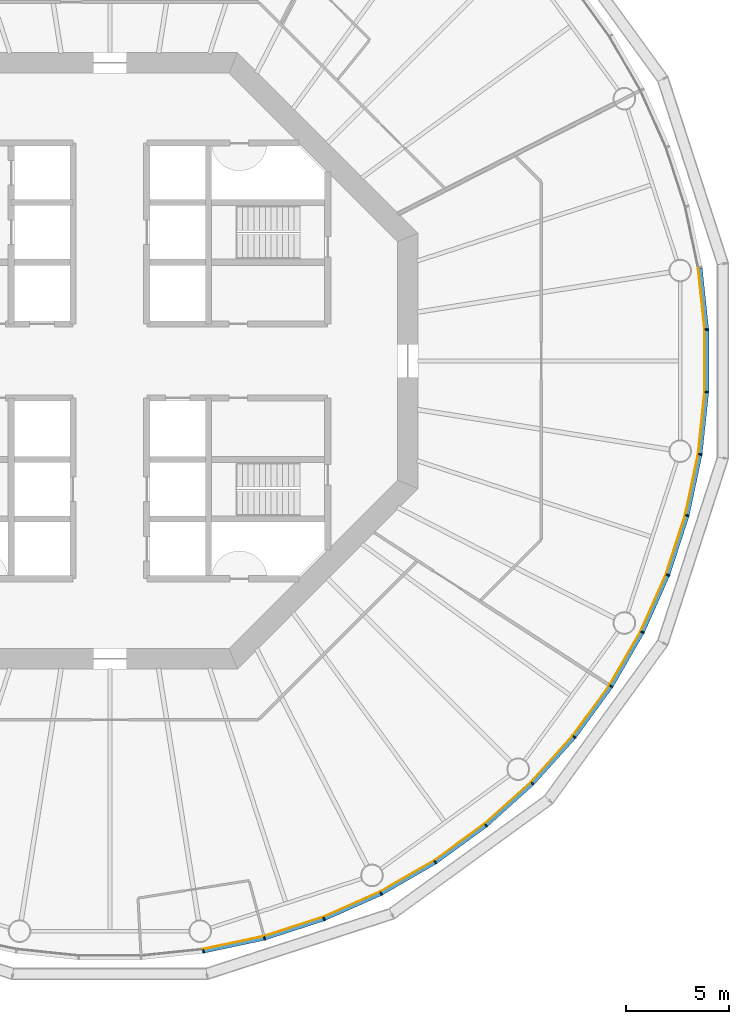
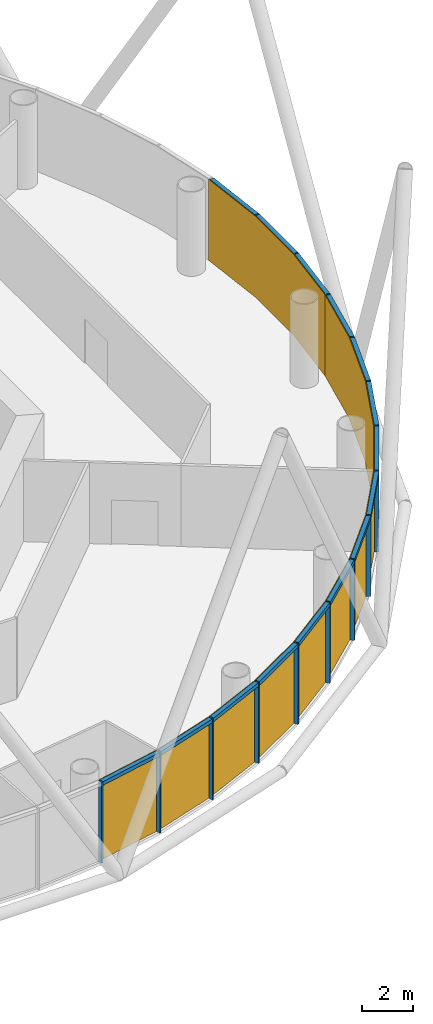
# One storey, part 9 of 13: 30 members, 5 curtain walls.
"""IFC4 building model written with IfcOpenShell, lengths in metres."""

from ifc_helpers import new_model, si_unit, direction, frame, origin, origin_2d, place, context, subcontext, project, spatial, polyline, rectangle, outline, extrude, material, layer, layer_set, material_profile, profile_set, type_object, element, aggregate, save


model = new_model("IFC4")

# Units and contexts
model_context = context("Model", 3, precision=1e-05, world=origin(), true_north=direction((0.0, 1.0)))
body_context = subcontext(model_context, "Body", "Model", "MODEL_VIEW")
ifc_project = project(units=[si_unit("LENGTHUNIT", "METRE"), si_unit("AREAUNIT", "SQUARE_METRE"), si_unit("VOLUMEUNIT", "CUBIC_METRE"), si_unit("PLANEANGLEUNIT", "RADIAN"), si_unit("MASSUNIT", "GRAM", prefix="KILO")], contexts=[model_context])

# Member
ifc_material_1 = material(Name="Anodised aluminium", Category="aluminium")
ifc_material_profile_1 = material_profile(ifc_material_1, rectangle(XDim=0.06494140625, YDim=0.18505859375, at=origin_2d()), Name="Mullion 65 x 185 mm anodised aluminium")
ifc_profile_set_1 = profile_set([ifc_material_profile_1], Name="Anodised aluminium")
member_type_1 = type_object("IfcMemberType", Name="Mullion 65 x 185 mm anodised aluminium", PredefinedType="MULLION", material=ifc_profile_set_1)
site_placement = place(None, origin())
building_placement = place(site_placement, origin())
storey_placement = place(building_placement, frame((0.0, 0.0, 164.0)))
member_1_placement = place(storey_placement, frame((94.551025390625, 51.265625, 0.0), z_axis=(0.0, 0.0, 1.0), x_axis=(0.987688340595, 0.15643446504, 0.0)))
member_1 = element("IfcMember", 1, at=member_1_placement, type_object=member_type_1, Name="MULLION L37-45", PredefinedType="MULLION", context=body_context, shape_type="SweptSolid", body=[
    extrude(rectangle(XDim=0.06494140625, YDim=0.18505859375, at=origin_2d()), origin(), (0.0, 0.0, 1.0), 3.85009765625),
])

member_2_placement = place(storey_placement, frame((97.52978515625, 51.898681640625, 0.0), z_axis=(0.0, 0.0, 1.0), x_axis=(0.965925826289, 0.258819045103, 0.0)))
member_2 = element("IfcMember", 2, at=member_2_placement, type_object=member_type_1, Name="MULLION L37-46", PredefinedType="MULLION", context=body_context, shape_type="SweptSolid", body=[
    extrude(rectangle(XDim=0.06494140625, YDim=0.18505859375, at=origin_2d()), origin(), (0.0, 0.0, 1.0), 3.85009765625),
])

member_3_placement = place(storey_placement, frame((100.42578125, 52.83984375, 0.0), z_axis=(0.0, 0.0, 1.0), x_axis=(0.933580426497, 0.358367949545, 0.0)))
member_3 = element("IfcMember", 3, at=member_3_placement, type_object=member_type_1, Name="MULLION L37-47", PredefinedType="MULLION", context=body_context, shape_type="SweptSolid", body=[
    extrude(rectangle(XDim=0.06494140625, YDim=0.18505859375, at=origin_2d()), origin(), (0.0, 0.0, 1.0), 3.85009765625),
])

member_4_placement = place(storey_placement, frame((103.207763671875, 54.078369140625, 0.0), z_axis=(0.0, 0.0, 1.0), x_axis=(0.891006524188, 0.45399049974, 0.0)))
member_4 = element("IfcMember", 4, at=member_4_placement, type_object=member_type_1, Name="MULLION L37-48", PredefinedType="MULLION", context=body_context, shape_type="SweptSolid", body=[
    extrude(rectangle(XDim=0.06494140625, YDim=0.18505859375, at=origin_2d()), origin(), (0.0, 0.0, 1.0), 3.85009765625),
])

member_5_placement = place(storey_placement, frame((105.844970703125, 55.60107421875, 0.0), z_axis=(0.0, 0.0, 1.0), x_axis=(0.838670567945, 0.544639035015, 0.0)))
member_5 = element("IfcMember", 5, at=member_5_placement, type_object=member_type_1, Name="MULLION L37-49", PredefinedType="MULLION", context=body_context, shape_type="SweptSolid", body=[
    extrude(rectangle(XDim=0.06494140625, YDim=0.18505859375, at=origin_2d()), origin(), (0.0, 0.0, 1.0), 3.85009765625),
])

member_6_placement = place(storey_placement, frame((108.30859375, 57.390869140625, 0.0), z_axis=(0.0, 0.0, 1.0), x_axis=(0.777145961457, 0.62932039105, 0.0)))
member_6 = element("IfcMember", 6, at=member_6_placement, type_object=member_type_1, Name="MULLION L37-50", PredefinedType="MULLION", context=body_context, shape_type="SweptSolid", body=[
    extrude(rectangle(XDim=0.06494140625, YDim=0.18505859375, at=origin_2d()), origin(), (0.0, 0.0, 1.0), 3.85009765625),
])

member_7_placement = place(storey_placement, frame((110.571533203125, 59.428466796875, 0.0), z_axis=(0.0, 0.0, 1.0), x_axis=(0.707106781187, 0.707106781187, 0.0)))
member_7 = element("IfcMember", 7, at=member_7_placement, type_object=member_type_1, Name="MULLION L37-51", PredefinedType="MULLION", context=body_context, shape_type="SweptSolid", body=[
    extrude(rectangle(XDim=0.06494140625, YDim=0.18505859375, at=origin_2d()), origin(), (0.0, 0.0, 1.0), 3.85009765625),
])

member_8_placement = place(storey_placement, frame((112.609130859375, 61.69140625, 0.0), z_axis=(0.0, 0.0, 1.0), x_axis=(0.62932039105, 0.777145961457, 0.0)))
member_8 = element("IfcMember", 8, at=member_8_placement, type_object=member_type_1, Name="MULLION L37-52", PredefinedType="MULLION", context=body_context, shape_type="SweptSolid", body=[
    extrude(rectangle(XDim=0.06494140625, YDim=0.18505859375, at=origin_2d()), origin(), (0.0, 0.0, 1.0), 3.85009765625),
])

member_9_placement = place(storey_placement, frame((114.39892578125, 64.155029296875, 0.0), z_axis=(0.0, 0.0, 1.0), x_axis=(0.544639035015, 0.838670567945, 0.0)))
member_9 = element("IfcMember", 9, at=member_9_placement, type_object=member_type_1, Name="MULLION L37-53", PredefinedType="MULLION", context=body_context, shape_type="SweptSolid", body=[
    extrude(rectangle(XDim=0.06494140625, YDim=0.18505859375, at=origin_2d()), origin(), (0.0, 0.0, 1.0), 3.85009765625),
])

member_10_placement = place(storey_placement, frame((115.921630859375, 66.792236328125, 0.0), z_axis=(0.0, 0.0, 1.0), x_axis=(0.45399049974, 0.891006524188, 0.0)))
member_10 = element("IfcMember", 10, at=member_10_placement, type_object=member_type_1, Name="MULLION L37-54", PredefinedType="MULLION", context=body_context, shape_type="SweptSolid", body=[
    extrude(rectangle(XDim=0.06494140625, YDim=0.18505859375, at=origin_2d()), origin(), (0.0, 0.0, 1.0), 3.85009765625),
])

member_11_placement = place(storey_placement, frame((117.16015625, 69.57421875, 0.0), z_axis=(0.0, 0.0, 1.0), x_axis=(0.358367949545, 0.933580426497, 0.0)))
member_11 = element("IfcMember", 11, at=member_11_placement, type_object=member_type_1, Name="MULLION L37-55", PredefinedType="MULLION", context=body_context, shape_type="SweptSolid", body=[
    extrude(rectangle(XDim=0.06494140625, YDim=0.18505859375, at=origin_2d()), origin(), (0.0, 0.0, 1.0), 3.85009765625),
])

member_12_placement = place(storey_placement, frame((118.101318359375, 72.47021484375, 0.0), z_axis=(0.0, 0.0, 1.0), x_axis=(0.258819045103, 0.965925826289, 0.0)))
member_12 = element("IfcMember", 12, at=member_12_placement, type_object=member_type_1, Name="MULLION L37-56", PredefinedType="MULLION", context=body_context, shape_type="SweptSolid", body=[
    extrude(rectangle(XDim=0.06494140625, YDim=0.18505859375, at=origin_2d()), origin(), (0.0, 0.0, 1.0), 3.85009765625),
])

member_13_placement = place(storey_placement, frame((118.734375, 75.448974609375, 0.0), z_axis=(0.0, 0.0, 1.0), x_axis=(0.15643446504, 0.987688340595, 0.0)))
member_13 = element("IfcMember", 13, at=member_13_placement, type_object=member_type_1, Name="MULLION L37-57", PredefinedType="MULLION", context=body_context, shape_type="SweptSolid", body=[
    extrude(rectangle(XDim=0.06494140625, YDim=0.18505859375, at=origin_2d()), origin(), (0.0, 0.0, 1.0), 3.85009765625),
])

member_14_placement = place(storey_placement, frame((119.052734375, 78.477294921875, 0.0), z_axis=(0.0, 0.0, 1.0), x_axis=(0.052335956243, 0.998629534755, 0.0)))
member_14 = element("IfcMember", 14, at=member_14_placement, type_object=member_type_1, Name="MULLION L37-58", PredefinedType="MULLION", context=body_context, shape_type="SweptSolid", body=[
    extrude(rectangle(XDim=0.06494140625, YDim=0.18505859375, at=origin_2d()), origin(), (0.0, 0.0, 1.0), 3.85009765625),
])

member_15_placement = place(storey_placement, frame((119.052734375, 81.522705078125, 0.0), z_axis=(0.0, 0.0, 1.0), x_axis=(-0.052335956243, 0.998629534755, 0.0)))
member_15 = element("IfcMember", 15, at=member_15_placement, type_object=member_type_1, Name="MULLION L37-59", PredefinedType="MULLION", context=body_context, shape_type="SweptSolid", body=[
    extrude(rectangle(XDim=0.06494140625, YDim=0.18505859375, at=origin_2d()), origin(), (0.0, 0.0, 1.0), 3.85009765625),
])

ifc_material_2 = material(Name="Anodised aluminium", Category="aluminium")
ifc_material_profile_2 = material_profile(ifc_material_2, rectangle(XDim=0.18505859375, YDim=0.175048828125, at=origin_2d()), Name="Transom 175 x 185 mm anodised aluminium")
ifc_profile_set_2 = profile_set([ifc_material_profile_2], Name="Anodised aluminium")
member_type_2 = type_object("IfcMemberType", Name="Transom 175 x 185 mm anodised aluminium", PredefinedType="USERDEFINED", material=ifc_profile_set_2)
member_16_placement = place(storey_placement, frame((94.587646484375, 51.2734375, 3.762451171875), z_axis=(0.97815822425, 0.207861704825, 0.0), x_axis=(-0.207861704825, 0.97815822425, 0.0)))
member_16 = element("IfcMember", 16, at=member_16_placement, type_object=member_type_2, Name="TRANSOM L37-45", ObjectType="TRANSOM", PredefinedType="USERDEFINED", context=body_context, shape_type="SweptSolid", body=[
    extrude(rectangle(XDim=0.18505859375, YDim=0.175048828125, at=origin_2d()), origin(), (0.0, 0.0, 1.0), 2.970458984375),
])

member_17_placement = place(storey_placement, frame((97.565185546875, 51.91015625, 3.762451171875), z_axis=(0.951055809184, 0.30901917063, 0.0), x_axis=(-0.30901917063, 0.951055809184, 0.0)))
member_17 = element("IfcMember", 17, at=member_17_placement, type_object=member_type_2, Name="TRANSOM L37-46", ObjectType="TRANSOM", PredefinedType="USERDEFINED", context=body_context, shape_type="SweptSolid", body=[
    extrude(rectangle(XDim=0.18505859375, YDim=0.175048828125, at=origin_2d()), origin(), (0.0, 0.0, 1.0), 2.970703125),
])

member_18_placement = place(storey_placement, frame((100.4599609375, 52.85498046875, 3.762451171875), z_axis=(0.913567348806, 0.406687471156, 0.0), x_axis=(-0.406687471156, 0.913567348806, 0.0)))
member_18 = element("IfcMember", 18, at=member_18_placement, type_object=member_type_2, Name="TRANSOM L37-47", ObjectType="TRANSOM", PredefinedType="USERDEFINED", context=body_context, shape_type="SweptSolid", body=[
    extrude(rectangle(XDim=0.18505859375, YDim=0.175048828125, at=origin_2d()), origin(), (0.0, 0.0, 1.0), 2.970458984375),
])

member_19_placement = place(storey_placement, frame((103.240234375, 54.096923828125, 3.762451171875), z_axis=(0.866009025146, 0.500028367561, 0.0), x_axis=(-0.500028367561, 0.866009025146, 0.0)))
member_19 = element("IfcMember", 19, at=member_19_placement, type_object=member_type_2, Name="TRANSOM L37-48", ObjectType="TRANSOM", PredefinedType="USERDEFINED", context=body_context, shape_type="SweptSolid", body=[
    extrude(rectangle(XDim=0.18505859375, YDim=0.175048828125, at=origin_2d()), origin(), (0.0, 0.0, 1.0), 2.970458984375),
])

member_20_placement = place(storey_placement, frame((105.875244140625, 55.622802734375, 3.762451171875), z_axis=(0.808991906087, 0.587819781808, 0.0), x_axis=(-0.587819781808, 0.808991906087, 0.0)))
member_20 = element("IfcMember", 20, at=member_20_placement, type_object=member_type_2, Name="TRANSOM L37-49", ObjectType="TRANSOM", PredefinedType="USERDEFINED", context=body_context, shape_type="SweptSolid", body=[
    extrude(rectangle(XDim=0.18505859375, YDim=0.175048828125, at=origin_2d()), origin(), (0.0, 0.0, 1.0), 2.970458984375),
])

member_21_placement = place(storey_placement, frame((108.33642578125, 57.415771484375, 3.762451171875), z_axis=(0.743163354343, 0.669110027395, 0.0), x_axis=(-0.669110027395, 0.743163354343, 0.0)))
member_21 = element("IfcMember", 21, at=member_21_placement, type_object=member_type_2, Name="TRANSOM L37-50", ObjectType="TRANSOM", PredefinedType="USERDEFINED", context=body_context, shape_type="SweptSolid", body=[
    extrude(rectangle(XDim=0.18505859375, YDim=0.175048828125, at=origin_2d()), origin(), (0.0, 0.0, 1.0), 2.970458984375),
])

member_22_placement = place(storey_placement, frame((110.5966796875, 59.4560546875, 3.762451171875), z_axis=(0.669110027395, 0.743163354343, 0.0), x_axis=(-0.743163354343, 0.669110027395, 0.0)))
member_22 = element("IfcMember", 22, at=member_22_placement, type_object=member_type_2, Name="TRANSOM L37-51", ObjectType="TRANSOM", PredefinedType="USERDEFINED", context=body_context, shape_type="SweptSolid", body=[
    extrude(rectangle(XDim=0.18505859375, YDim=0.175048828125, at=origin_2d()), origin(), (0.0, 0.0, 1.0), 2.970458984375),
])

member_23_placement = place(storey_placement, frame((112.631103515625, 61.7216796875, 3.762451171875), z_axis=(0.587819781808, 0.808991906087, 0.0), x_axis=(-0.808991906087, 0.587819781808, 0.0)))
member_23 = element("IfcMember", 23, at=member_23_placement, type_object=member_type_2, Name="TRANSOM L37-52", ObjectType="TRANSOM", PredefinedType="USERDEFINED", context=body_context, shape_type="SweptSolid", body=[
    extrude(rectangle(XDim=0.18505859375, YDim=0.175048828125, at=origin_2d()), origin(), (0.0, 0.0, 1.0), 2.970458984375),
])

member_24_placement = place(storey_placement, frame((114.417724609375, 64.187255859375, 3.762451171875), z_axis=(0.500028367561, 0.866009025146, 0.0), x_axis=(-0.866009025146, 0.500028367561, 0.0)))
member_24 = element("IfcMember", 24, at=member_24_placement, type_object=member_type_2, Name="TRANSOM L37-53", ObjectType="TRANSOM", PredefinedType="USERDEFINED", context=body_context, shape_type="SweptSolid", body=[
    extrude(rectangle(XDim=0.18505859375, YDim=0.175048828125, at=origin_2d()), origin(), (0.0, 0.0, 1.0), 2.970458984375),
])

member_25_placement = place(storey_placement, frame((115.93701171875, 66.826416015625, 3.762451171875), z_axis=(0.406687471156, 0.913567348806, 0.0), x_axis=(-0.913567348806, 0.406687471156, 0.0)))
member_25 = element("IfcMember", 25, at=member_25_placement, type_object=member_type_2, Name="TRANSOM L37-54", ObjectType="TRANSOM", PredefinedType="USERDEFINED", context=body_context, shape_type="SweptSolid", body=[
    extrude(rectangle(XDim=0.18505859375, YDim=0.175048828125, at=origin_2d()), origin(), (0.0, 0.0, 1.0), 2.970458984375),
])

member_26_placement = place(storey_placement, frame((117.171875, 69.609619140625, 3.762451171875), z_axis=(0.30901917063, 0.951055809184, 0.0), x_axis=(-0.951055809184, 0.30901917063, 0.0)))
member_26 = element("IfcMember", 26, at=member_26_placement, type_object=member_type_2, Name="TRANSOM L37-55", ObjectType="TRANSOM", PredefinedType="USERDEFINED", context=body_context, shape_type="SweptSolid", body=[
    extrude(rectangle(XDim=0.18505859375, YDim=0.175048828125, at=origin_2d()), origin(), (0.0, 0.0, 1.0), 2.970703125),
])

member_27_placement = place(storey_placement, frame((118.109130859375, 72.5068359375, 3.762451171875), z_axis=(0.207861704825, 0.97815822425, 0.0), x_axis=(-0.97815822425, 0.207861704825, 0.0)))
member_27 = element("IfcMember", 27, at=member_27_placement, type_object=member_type_2, Name="TRANSOM L37-56", ObjectType="TRANSOM", PredefinedType="USERDEFINED", context=body_context, shape_type="SweptSolid", body=[
    extrude(rectangle(XDim=0.18505859375, YDim=0.175048828125, at=origin_2d()), origin(), (0.0, 0.0, 1.0), 2.970458984375),
])

member_28_placement = place(storey_placement, frame((118.73828125, 75.486083984375, 3.762451171875), z_axis=(0.104547872381, 0.994519855197, 0.0), x_axis=(-0.994519855197, 0.104547872381, 0.0)))
member_28 = element("IfcMember", 28, at=member_28_placement, type_object=member_type_2, Name="TRANSOM L37-57", ObjectType="TRANSOM", PredefinedType="USERDEFINED", context=body_context, shape_type="SweptSolid", body=[
    extrude(rectangle(XDim=0.18505859375, YDim=0.175048828125, at=origin_2d()), origin(), (0.0, 0.0, 1.0), 2.970458984375),
])

member_29_placement = place(storey_placement, frame((119.052734375, 78.5146484375, 3.762451171875), z_axis=(0.0, 1.0, 0.0), x_axis=(-1.0, 0.0, 0.0)))
member_29 = element("IfcMember", 29, at=member_29_placement, type_object=member_type_2, Name="TRANSOM L37-58", ObjectType="TRANSOM", PredefinedType="USERDEFINED", context=body_context, shape_type="SweptSolid", body=[
    extrude(rectangle(XDim=0.18505859375, YDim=0.175048828125, at=origin_2d()), origin(), (0.0, 0.0, 1.0), 2.970703125),
])

member_30_placement = place(storey_placement, frame((119.048828125, 81.559814453125, 3.762451171875), z_axis=(-0.104547872381, 0.994519855197, 0.0), x_axis=(-0.994519855197, -0.104547872381, 0.0)))
member_30 = element("IfcMember", 30, at=member_30_placement, type_object=member_type_2, Name="TRANSOM L37-59", ObjectType="TRANSOM", PredefinedType="USERDEFINED", context=body_context, shape_type="SweptSolid", body=[
    extrude(rectangle(XDim=0.18505859375, YDim=0.175048828125, at=origin_2d()), origin(), (0.0, 0.0, 1.0), 2.970458984375),
])

# Site, building, storey
site = spatial("IfcSite", under=ifc_project, at=site_placement, CompositionType="ELEMENT")
building = spatial("IfcBuilding", under=site, at=building_placement, Name="Entoto Ring Tower", CompositionType="ELEMENT")
storey = spatial("IfcBuildingStorey", under=building, at=storey_placement, Name="L37", CompositionType="ELEMENT", Elevation=164.0)

# Curtain wall
ifc_material_3 = material(Name="Clear low-iron glass", Category="glass")
ifc_layer = layer(ifc_material_3, 0.033935546875)
ifc_layer_set = layer_set([ifc_layer], Name="Clear low-iron glass")
curtain_wall_type = type_object("IfcCurtainWallType", Name="Curtain wall system CW3 glazing 34 mm", PredefinedType="NOTDEFINED", material=ifc_layer_set)
curtain_wall_1_placement = place(storey_placement, origin())
curtain_wall_1 = element("IfcCurtainWall", 31, at=curtain_wall_1_placement, inside=storey, type_object=curtain_wall_type, Name="CW3 L37-16", PredefinedType="NOTDEFINED", context=body_context, shape_type="SweptSolid", body=[
    extrude(outline(polyline([(94.53662109375, 51.35693359375), (97.505859375, 51.988037109375), (100.392578125, 52.92626953125), (103.165771484375, 54.160888671875), (103.150146484375, 54.191162109375), (100.38037109375, 52.9580078125), (97.496826171875, 52.02099609375), (94.53125, 51.390625), (94.53662109375, 51.35693359375)])), origin(), (0.0, 0.0, 1.0), 3.85009765625),
])

aggregate(curtain_wall_1, [member_1, member_2, member_3, member_16, member_17, member_18])

curtain_wall_2_placement = place(storey_placement, origin())
curtain_wall_2 = element("IfcCurtainWall", 32, at=curtain_wall_2_placement, inside=storey, type_object=curtain_wall_type, Name="CW3 L37-17", PredefinedType="NOTDEFINED", context=body_context, shape_type="SweptSolid", body=[
    extrude(outline(polyline([(103.165771484375, 54.160888671875), (105.79443359375, 55.678466796875), (108.250244140625, 57.462646484375), (110.506103515625, 59.493896484375), (110.48193359375, 59.51806640625), (108.228759765625, 57.4892578125), (105.77587890625, 55.70703125), (103.150146484375, 54.191162109375), (103.165771484375, 54.160888671875)])), origin(), (0.0, 0.0, 1.0), 3.85009765625),
])

aggregate(curtain_wall_2, [member_4, member_5, member_6, member_19, member_20, member_21])

curtain_wall_3_placement = place(storey_placement, origin())
curtain_wall_3 = element("IfcCurtainWall", 33, at=curtain_wall_3_placement, inside=storey, type_object=curtain_wall_type, Name="CW3 L37-18", PredefinedType="NOTDEFINED", context=body_context, shape_type="SweptSolid", body=[
    extrude(outline(polyline([(110.506103515625, 59.493896484375), (112.537353515625, 61.749755859375), (114.321533203125, 64.20556640625), (115.839111328125, 66.834228515625), (115.808837890625, 66.849853515625), (114.29296875, 64.22412109375), (112.5107421875, 61.771240234375), (110.48193359375, 59.51806640625), (110.506103515625, 59.493896484375)])), origin(), (0.0, 0.0, 1.0), 3.85009765625),
])

aggregate(curtain_wall_3, [member_7, member_8, member_9, member_22, member_23, member_24])

curtain_wall_4_placement = place(storey_placement, origin())
curtain_wall_4 = element("IfcCurtainWall", 34, at=curtain_wall_4_placement, inside=storey, type_object=curtain_wall_type, Name="CW3 L37-19", PredefinedType="NOTDEFINED", context=body_context, shape_type="SweptSolid", body=[
    extrude(outline(polyline([(115.839111328125, 66.834228515625), (117.07373046875, 69.607421875), (118.011962890625, 72.494140625), (118.64306640625, 75.46337890625), (118.609375, 75.46875), (117.97900390625, 72.503173828125), (117.0419921875, 69.61962890625), (115.808837890625, 66.849853515625), (115.839111328125, 66.834228515625)])), origin(), (0.0, 0.0, 1.0), 3.85009765625),
])

aggregate(curtain_wall_4, [member_10, member_11, member_12, member_25, member_26, member_27])

curtain_wall_5_placement = place(storey_placement, origin())
curtain_wall_5 = element("IfcCurtainWall", 35, at=curtain_wall_5_placement, inside=storey, type_object=curtain_wall_type, Name="CW3 L37-20", PredefinedType="NOTDEFINED", context=body_context, shape_type="SweptSolid", body=[
    extrude(outline(polyline([(118.64306640625, 75.46337890625), (118.960205078125, 78.482177734375), (118.960205078125, 81.517822265625), (118.64306640625, 84.53662109375), (118.609375, 84.53125), (118.92626953125, 81.515869140625), (118.92626953125, 78.484130859375), (118.609375, 75.46875), (118.64306640625, 75.46337890625)])), origin(), (0.0, 0.0, 1.0), 3.85009765625),
])

aggregate(curtain_wall_5, [member_13, member_14, member_15, member_28, member_29, member_30])

save(model, "model.ifc")
